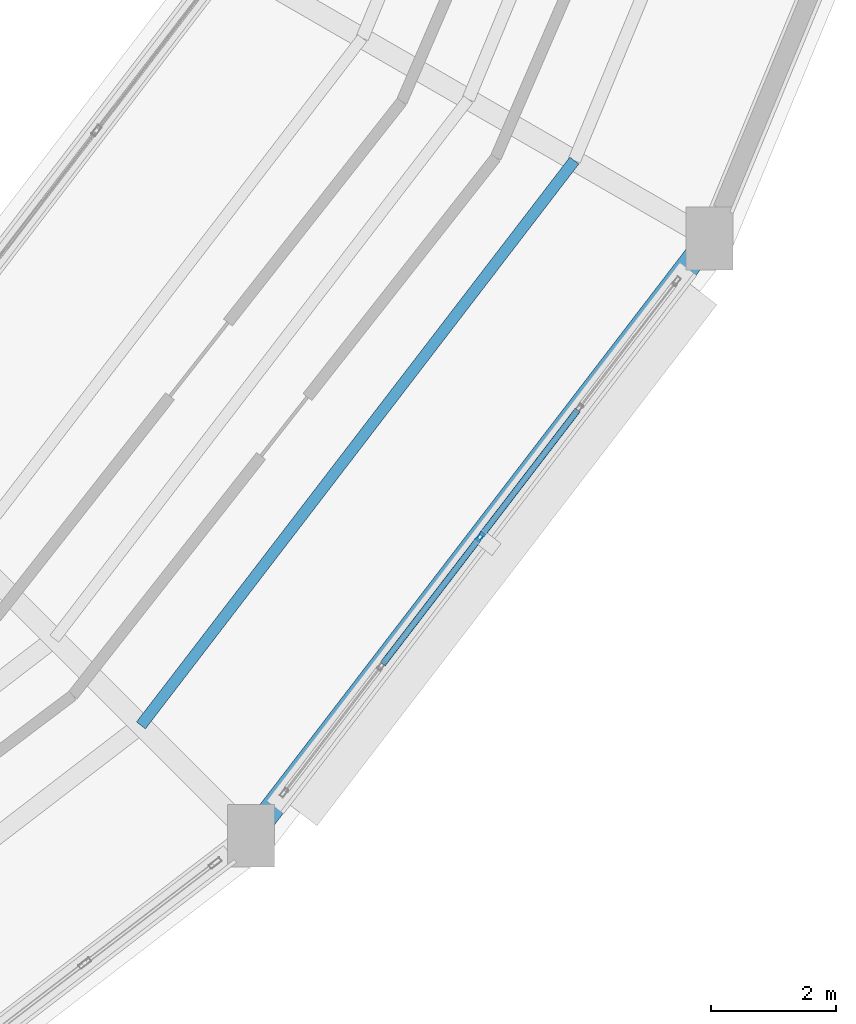
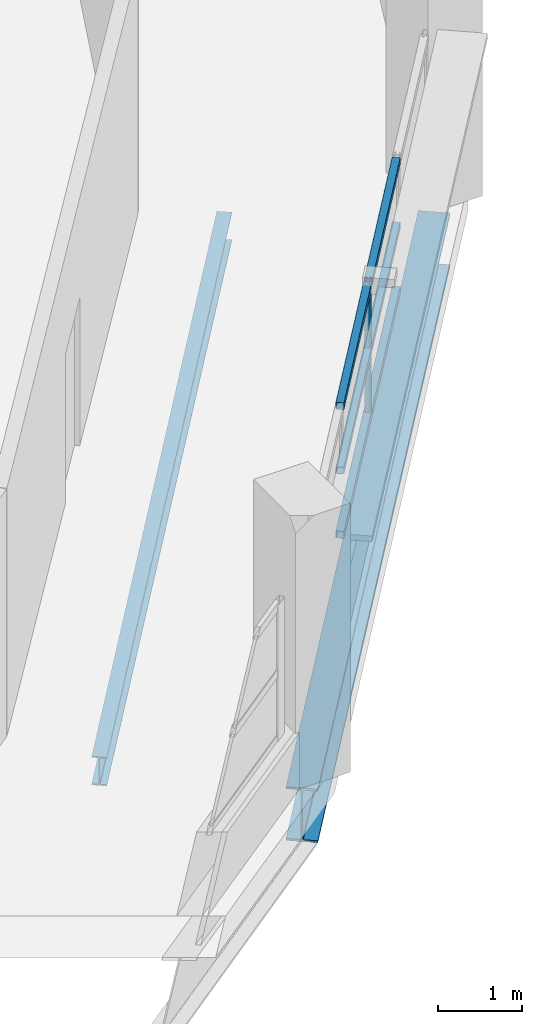
# One storey, part 50 of 108: 7 members, 2 beams, 1 element without a shape of its own.
"""IFC4 building model written with IfcOpenShell, lengths in metres."""

import ifcopenshell
import ifcopenshell.guid

model = None  # the IFC model being written
_history = None  # IfcOwnerHistory: only IFC2X3 demands one
_inside = {}  # id of a spatial element -> (the spatial element, [elements in it])
_under = {}  # id of a project, library or spatial element -> (it, [spatial elements below it])
_declared = {}  # id of a project -> (the project, [libraries it declares])
_typed = {}  # id of a type object -> (the type object, [elements of that type])
_made_of = {}  # id of a material, layer set ... -> (it, [elements and type objects made of it])


def new_model(schema):
    """Start an empty IFC model of exactly this schema.

    Asked for "IFC4X3", IfcOpenShell would pick the latest addendum, in which some entities
    have other attributes; the version numbers below select the first issue.
    IFC2X3 requires an IfcOwnerHistory on every rooted entity: one is made here for all.
    """
    global model, _history
    if schema == "IFC4X3":
        model = ifcopenshell.file(schema_version=(4, 3, 0, 0))
    else:
        model = ifcopenshell.file(schema=schema)
    _inside.clear()
    _under.clear()
    _declared.clear()
    _typed.clear()
    _made_of.clear()
    _history = None
    if model.schema == "IFC2X3":
        org = make("IfcOrganization", Name="unknown")
        user = make(
            "IfcPersonAndOrganization",
            ThePerson=make("IfcPerson", FamilyName="unknown"),
            TheOrganization=org,
        )
        app = make(
            "IfcApplication",
            ApplicationDeveloper=org,
            Version="unknown",
            ApplicationFullName="unknown",
            ApplicationIdentifier="unknown",
        )
        _history = make(
            "IfcOwnerHistory",
            OwningUser=user,
            OwningApplication=app,
            ChangeAction="ADDED",
            CreationDate=0,
        )
    return model


def make(cls, **values):
    """One entity of the class cls with the attributes given. An attribute that is None is left unset."""
    return model.create_entity(
        cls, **{name: value for name, value in values.items() if value is not None}
    )


def rooted(cls, **values):
    """An entity with a GlobalId (a new one), such as an element, a storey or a relation."""
    return make(cls, GlobalId=ifcopenshell.guid.new(), OwnerHistory=_history, **values)


def si_unit(unit_type, name, prefix=None):
    """IfcSIUnit, for example si_unit("LENGTHUNIT", "METRE", prefix="MILLI")."""
    return make("IfcSIUnit", UnitType=unit_type, Prefix=prefix, Name=name)


def assignment(units):
    """IfcUnitAssignment: the units of a project."""
    return None if units is None else make("IfcUnitAssignment", Units=units)


def point(xyz):
    """IfcCartesianPoint."""
    return None if xyz is None else make("IfcCartesianPoint", Coordinates=xyz)


def direction(xyz):
    """IfcDirection."""
    return None if xyz is None else make("IfcDirection", DirectionRatios=xyz)


def frame(location, z_axis=None, x_axis=None):
    """IfcAxis2Placement3D, a coordinate frame: its origin and axes. An axis left out is left unset."""
    return make(
        "IfcAxis2Placement3D",
        Location=point(location),
        Axis=direction(z_axis),
        RefDirection=direction(x_axis),
    )


def frame_2d(location, x_axis=None):
    """IfcAxis2Placement2D, a coordinate frame in the plane: its origin and x axis."""
    return make(
        "IfcAxis2Placement2D", Location=point(location), RefDirection=direction(x_axis)
    )


def origin():
    """The frame at (0, 0, 0) with its axes left unset."""
    return frame((0.0, 0.0, 0.0))


def origin_2d():
    """The frame at (0, 0) in the plane with its x axis left unset."""
    return frame_2d((0.0, 0.0))


def place(relative_to, where):
    """IfcLocalPlacement: puts the frame where relative to a parent placement (None: the world)."""
    return make(
        "IfcLocalPlacement", PlacementRelTo=relative_to, RelativePlacement=where
    )


def context(
    kind, dimensions, precision=None, world=None, true_north=None, identifier=None
):
    """IfcGeometricRepresentationContext, for example the 3D "Model" context."""
    return make(
        "IfcGeometricRepresentationContext",
        ContextIdentifier=identifier,
        ContextType=kind,
        CoordinateSpaceDimension=dimensions,
        Precision=precision,
        WorldCoordinateSystem=world,
        TrueNorth=true_north,
    )


def subcontext(parent, identifier, kind, view, scale=None):
    """IfcGeometricRepresentationSubContext, for example "Body" below "Model"."""
    return make(
        "IfcGeometricRepresentationSubContext",
        ContextIdentifier=identifier,
        ContextType=kind,
        ParentContext=parent,
        TargetScale=scale,
        TargetView=view,
    )


def project(units=None, contexts=None):
    """IfcProject with its units and contexts."""
    return rooted(
        "IfcProject",
        Name="project",
        RepresentationContexts=contexts,
        UnitsInContext=assignment(units),
    )


def spatial(cls, under=None, at=None, **own):
    """A site, building, storey or space (cls), placed at a placement, below another one or the project."""
    s = rooted(cls, ObjectPlacement=at, **own)
    if under is not None:
        _under.setdefault(under.id(), (under, []))[1].append(s)
    return s


def profile(cls, at=None, kind="AREA", **sizes):
    """A parametric profile (cls). Its sizes go by their IFC names, for example OverallWidth=200.0."""
    return make(cls, ProfileType=kind, Position=at, **sizes)


def hollow_rectangle(**sizes):
    """IfcRectangleHollowProfileDef."""
    return profile("IfcRectangleHollowProfileDef", **sizes)


def i_section(**sizes):
    """IfcIShapeProfileDef."""
    return profile("IfcIShapeProfileDef", **sizes)


def extrude(swept, where, along, depth):
    """IfcExtrudedAreaSolid: the profile swept, set in the frame where, extruded along a direction by depth."""
    return make(
        "IfcExtrudedAreaSolid",
        SweptArea=swept,
        Position=where,
        ExtrudedDirection=direction(along),
        Depth=depth,
    )


def shape(context_of_items, identifier, shape_type, items):
    """IfcShapeRepresentation: the items that make up one representation, for example the "Body"."""
    return make(
        "IfcShapeRepresentation",
        ContextOfItems=context_of_items,
        RepresentationIdentifier=identifier,
        RepresentationType=shape_type,
        Items=items,
    )


def material(Name=None, Category=None):
    """IfcMaterial."""
    return make("IfcMaterial", Name=Name, Category=Category)


def layer(
    of_material, thickness, ventilated=None, Name=None, Category=None, Priority=None
):
    """IfcMaterialLayer: one layer of a wall or slab, of a material (None: an air gap)."""
    return make(
        "IfcMaterialLayer",
        Material=of_material,
        LayerThickness=thickness,
        IsVentilated=ventilated,
        Name=Name,
        Category=Category,
        Priority=Priority,
    )


def layer_set(layers, Name=None):
    """IfcMaterialLayerSet."""
    return make("IfcMaterialLayerSet", MaterialLayers=layers, LayerSetName=Name)


def material_profile(
    of_material, cross_section, Name=None, Category=None, Priority=None
):
    """IfcMaterialProfile: a cross section and its material."""
    return make(
        "IfcMaterialProfile",
        Name=Name,
        Material=of_material,
        Profile=cross_section,
        Priority=Priority,
        Category=Category,
    )


def profile_set(profiles, Name=None, composite=None):
    """IfcMaterialProfileSet."""
    return make(
        "IfcMaterialProfileSet",
        Name=Name,
        MaterialProfiles=profiles,
        CompositeProfile=composite,
    )


def made_of(thing, what):
    """Note that an element or type object is made of a material, layer set ...; save() writes the relation."""
    if what is not None:
        _made_of.setdefault(what.id(), (what, []))[1].append(thing)
    return thing


def type_object(cls, material=None, **own):
    """A type object (cls), such as IfcWallType, which elements share."""
    return made_of(rooted(cls, **own), material)


def element(
    cls,
    number,
    at=None,
    inside=None,
    cuts=None,
    type_object=None,
    material=None,
    context=None,
    identifier="Body",
    shape_type=None,
    held_by="IfcProductDefinitionShape",
    body=None,
    shapes=None,
    **own,
):
    """One element of the class cls, such as IfcWall. Its Tag is "e" and its number.

    at: its placement. inside: the storey or other place that contains it. cuts: it is an
    opening in that element (IfcRelVoidsElement). A single representation is given by context,
    identifier, shape_type and body (its items); several are given by shapes. held_by: the class
    of the entity that holds the representations. save() writes the other relations.
    """
    e = rooted(cls, Tag="e%d" % number, ObjectPlacement=at, **own)
    if body is not None:
        shapes = [shape(context, identifier, shape_type, body)]
    if shapes is not None:
        e.Representation = make(held_by, Representations=shapes)
    if inside is not None:
        _inside.setdefault(inside.id(), (inside, []))[1].append(e)
    if cuts is not None:
        rooted(
            "IfcRelVoidsElement", RelatingBuildingElement=cuts, RelatedOpeningElement=e
        )
    if type_object is not None:
        _typed.setdefault(type_object.id(), (type_object, []))[1].append(e)
    return made_of(e, material)


def aggregate(whole, parts):
    """IfcRelAggregates: a whole, such as a stair, and the parts it consists of."""
    return rooted("IfcRelAggregates", RelatingObject=whole, RelatedObjects=parts)


def save(model, path):
    """Write the relations noted so far, then the file.

    IfcRelAggregates (storeys below a building ...), IfcRelContainedInSpatialStructure (elements
    in a storey), IfcRelDefinesByType, IfcRelAssociatesMaterial and IfcRelDeclares: one each for
    every whole, place, type object, material and project.
    """
    for whole, parts in _under.values():
        aggregate(whole, parts)
    for where, things in _inside.values():
        rooted(
            "IfcRelContainedInSpatialStructure",
            RelatedElements=things,
            RelatingStructure=where,
        )
    for kind, things in _typed.values():
        rooted("IfcRelDefinesByType", RelatedObjects=things, RelatingType=kind)
    for what, things in _made_of.values():
        rooted("IfcRelAssociatesMaterial", RelatedObjects=things, RelatingMaterial=what)
    for by, libraries in _declared.values():
        rooted("IfcRelDeclares", RelatingContext=by, RelatedDefinitions=libraries)
    model.write(path)


model = new_model("IFC4")

# Units and contexts
model_context = context("Model", 3, precision=1e-05, world=origin(), true_north=direction((0.0, 1.0)))
body_context = subcontext(model_context, "Body", "Model", "MODEL_VIEW")
ifc_project = project(units=[si_unit("LENGTHUNIT", "METRE"), si_unit("AREAUNIT", "SQUARE_METRE"), si_unit("VOLUMEUNIT", "CUBIC_METRE"), si_unit("PLANEANGLEUNIT", "RADIAN"), si_unit("MASSUNIT", "GRAM", prefix="KILO")], contexts=[model_context])

# Site, building, storey
site_placement = place(None, origin())
site = spatial("IfcSite", under=ifc_project, at=site_placement, CompositionType="ELEMENT")
building_placement = place(site_placement, origin())
building = spatial("IfcBuilding", under=site, at=building_placement, Name="Vespera Passage Community Centre", CompositionType="ELEMENT")
storey_placement = place(building_placement, frame((0.0, 0.0, 12.60009765625)))
storey = spatial("IfcBuildingStorey", under=building, at=storey_placement, Name="L03", CompositionType="ELEMENT", Elevation=12.60009765625)

# Beams
ifc_material_1 = material(Name="Steel ASTM A992 Grade 50", Category="steel")
ifc_material_profile_1 = material_profile(ifc_material_1, i_section(OverallWidth=0.180908203125, OverallDepth=0.417236328125, WebThickness=0.010986328125, FlangeThickness=0.018310546875, FilletRadius=0.01025390625, at=origin_2d()), Name="W16X57")
ifc_profile_set_1 = profile_set([ifc_material_profile_1], Name="Steel ASTM A992 Grade 50")
beam_type_1 = type_object("IfcBeamType", Name="BM-J-W16X57", PredefinedType="JOIST", material=ifc_profile_set_1)
beam_1_placement = place(storey_placement, frame((108.83544921875, 34.66455078125, -0.60888671875), z_axis=(0.608765110442, 0.793350515415, 0.0), x_axis=(-0.793350515415, 0.608765110442, 0.0)))
element("IfcBeam", 1, at=beam_1_placement, inside=storey, type_object=beam_type_1, Name="V4 L03 Floor Joist 21.3", PredefinedType="JOIST", context=body_context, shape_type="SweptSolid", body=[
    extrude(i_section(OverallWidth=0.180908203125, OverallDepth=0.417236328125, WebThickness=0.010986328125, FlangeThickness=0.018310546875, FilletRadius=0.01025390625, at=origin_2d()), origin(), (0.0, 0.0, 1.0), 11.384033203125),
])
ifc_material_2 = material(Name="Steel ASTM A992 Grade 50", Category="steel")
ifc_material_profile_2 = material_profile(ifc_material_2, i_section(OverallWidth=0.382080078125, OverallDepth=0.779296875, WebThickness=0.01806640625, FlangeThickness=0.030029296875, FilletRadius=0.0166015625, at=origin_2d()), Name="W30X191")
ifc_profile_set_2 = profile_set([ifc_material_profile_2], Name="Steel ASTM A992 Grade 50")
beam_type_2 = type_object("IfcBeamType", Name="BM-SP-W30X191E", PredefinedType="SPANDREL", material=ifc_profile_set_2)
beam_2_placement = place(storey_placement, frame((110.59765625, 32.90234375, -0.789794921875), z_axis=(0.608763261066, 0.793351934501, 0.0), x_axis=(-0.793351934501, 0.608763261066, 0.0)))
element("IfcBeam", 2, at=beam_2_placement, inside=storey, type_object=beam_type_2, Name="V4 L03 Outer Spandrel 21", PredefinedType="SPANDREL", context=body_context, shape_type="SweptSolid", body=[
    extrude(i_section(OverallWidth=0.382080078125, OverallDepth=0.779296875, WebThickness=0.01806640625, FlangeThickness=0.030029296875, FilletRadius=0.0166015625, at=origin_2d()), origin(), (0.0, 0.0, 1.0), 12.034423828125),
])

# Curtain wall, members
ifc_material_3 = material(Name="Anodized aluminium 6063-T6", Category="aluminium")
ifc_layer = layer(ifc_material_3, 0.159912109375)
ifc_layer_set = layer_set([ifc_layer], Name="Anodized aluminium 6063-T6")
curtain_wall_type = type_object("IfcCurtainWallType", Name="CW-52E", PredefinedType="NOTDEFINED", material=ifc_layer_set)
curtain_wall_placement = place(storey_placement, origin())
curtain_wall = element("IfcCurtainWall", 3, at=curtain_wall_placement, inside=storey, type_object=curtain_wall_type, Name="V4 L03 Outer Ribbon Curtain Wall 21", PredefinedType="NOTDEFINED")
ifc_material_4 = material(Name="Anodized aluminium 6063-T6", Category="aluminium")
ifc_material_profile_3 = material_profile(ifc_material_4, hollow_rectangle(XDim=0.06494140625, YDim=0.14990234375, WallThickness=0.00390625, InnerFilletRadius=0.001953125, OuterFilletRadius=0.00390625, at=origin_2d()), Name="ALU150X65X4")
ifc_profile_set_3 = profile_set([ifc_material_profile_3], Name="Anodized aluminium 6063-T6")
member_type_1 = type_object("IfcMemberType", Name="MB-CWM-150E", PredefinedType="MULLION", material=ifc_profile_set_3)
member_1_placement = place(storey_placement, frame((114.2607421875, 37.67626953125, 0.81982421875), z_axis=(0.0, 0.0, 1.0), x_axis=(0.793350257139, -0.608765447029, 0.0)))
member_1 = element("IfcMember", 4, at=member_1_placement, type_object=member_type_1, Name="CW-52E mullion 3", PredefinedType="MULLION", context=body_context, shape_type="SweptSolid", body=[
    extrude(hollow_rectangle(XDim=0.06494140625, YDim=0.14990234375, WallThickness=0.00390625, InnerFilletRadius=0.001953125, OuterFilletRadius=0.00390625, at=origin_2d()), origin(), (0.0, 0.0, 1.0), 1.965576171875),
])
ifc_material_5 = material(Name="Anodized aluminium 6063-T6", Category="aluminium")
ifc_material_profile_4 = material_profile(ifc_material_5, hollow_rectangle(XDim=0.10009765625, YDim=0.10009765625, WallThickness=0.00390625, InnerFilletRadius=0.001953125, OuterFilletRadius=0.00390625, at=origin_2d()), Name="ALU100X100X4")
ifc_profile_set_4 = profile_set([ifc_material_profile_4], Name="Anodized aluminium 6063-T6")
member_type_2 = type_object("IfcMemberType", Name="MB-CWT-100E", PredefinedType="USERDEFINED", material=ifc_profile_set_4)
member_2_placement = place(storey_placement, frame((115.819580078125, 39.707763671875, 0.869873046875), z_axis=(-0.608739637732, -0.793370060851, 0.0), x_axis=(0.793370060851, -0.608739637732, 0.0)))
member_2 = element("IfcMember", 5, at=member_2_placement, type_object=member_type_2, Name="CW-52E transom 2.1", ObjectType="TRANSOM", PredefinedType="USERDEFINED", context=body_context, shape_type="SweptSolid", body=[
    extrude(hollow_rectangle(XDim=0.10009765625, YDim=0.10009765625, WallThickness=0.00390625, InnerFilletRadius=0.001953125, OuterFilletRadius=0.00390625, at=origin_2d()), origin(), (0.0, 0.0, 1.0), 2.5283203125),
])
member_3_placement = place(storey_placement, frame((115.819580078125, 39.707763671875, 1.802734375), z_axis=(-0.608739637732, -0.793370060851, 0.0), x_axis=(0.793370060851, -0.608739637732, 0.0)))
member_3 = element("IfcMember", 6, at=member_3_placement, type_object=member_type_2, Name="CW-52E transom 2.2", ObjectType="TRANSOM", PredefinedType="USERDEFINED", context=body_context, shape_type="SweptSolid", body=[
    extrude(hollow_rectangle(XDim=0.10009765625, YDim=0.10009765625, WallThickness=0.00390625, InnerFilletRadius=0.001953125, OuterFilletRadius=0.00390625, at=origin_2d()), origin(), (0.0, 0.0, 1.0), 2.5283203125),
])
member_4_placement = place(storey_placement, frame((115.819580078125, 39.707763671875, 2.735595703125), z_axis=(-0.608739637732, -0.793370060851, 0.0), x_axis=(0.793370060851, -0.608739637732, 0.0)))
member_4 = element("IfcMember", 7, at=member_4_placement, type_object=member_type_2, Name="CW-52E transom 2.3", ObjectType="TRANSOM", PredefinedType="USERDEFINED", context=body_context, shape_type="SweptSolid", body=[
    extrude(hollow_rectangle(XDim=0.10009765625, YDim=0.10009765625, WallThickness=0.00390625, InnerFilletRadius=0.001953125, OuterFilletRadius=0.00390625, at=origin_2d()), origin(), (0.0, 0.0, 1.0), 2.5283203125),
])
member_5_placement = place(storey_placement, frame((114.240966796875, 37.650390625, 0.869873046875), z_axis=(-0.608786276411, -0.793334273591, 0.0), x_axis=(0.793334273591, -0.608786276411, 0.0)))
member_5 = element("IfcMember", 8, at=member_5_placement, type_object=member_type_2, Name="CW-52E transom 3.1", ObjectType="TRANSOM", PredefinedType="USERDEFINED", context=body_context, shape_type="SweptSolid", body=[
    extrude(hollow_rectangle(XDim=0.10009765625, YDim=0.10009765625, WallThickness=0.00390625, InnerFilletRadius=0.001953125, OuterFilletRadius=0.00390625, at=origin_2d()), origin(), (0.0, 0.0, 1.0), 2.528076171875),
])
member_6_placement = place(storey_placement, frame((114.240966796875, 37.650390625, 1.802734375), z_axis=(-0.608786276411, -0.793334273591, 0.0), x_axis=(0.793334273591, -0.608786276411, 0.0)))
member_6 = element("IfcMember", 9, at=member_6_placement, type_object=member_type_2, Name="CW-52E transom 3.2", ObjectType="TRANSOM", PredefinedType="USERDEFINED", context=body_context, shape_type="SweptSolid", body=[
    extrude(hollow_rectangle(XDim=0.10009765625, YDim=0.10009765625, WallThickness=0.00390625, InnerFilletRadius=0.001953125, OuterFilletRadius=0.00390625, at=origin_2d()), origin(), (0.0, 0.0, 1.0), 2.528076171875),
])
member_7_placement = place(storey_placement, frame((114.240966796875, 37.650390625, 2.735595703125), z_axis=(-0.608786276411, -0.793334273591, 0.0), x_axis=(0.793334273591, -0.608786276411, 0.0)))
member_7 = element("IfcMember", 10, at=member_7_placement, type_object=member_type_2, Name="CW-52E transom 3.3", ObjectType="TRANSOM", PredefinedType="USERDEFINED", context=body_context, shape_type="SweptSolid", body=[
    extrude(hollow_rectangle(XDim=0.10009765625, YDim=0.10009765625, WallThickness=0.00390625, InnerFilletRadius=0.001953125, OuterFilletRadius=0.00390625, at=origin_2d()), origin(), (0.0, 0.0, 1.0), 2.528076171875),
])
aggregate(curtain_wall, [member_1, member_2, member_3, member_4, member_5, member_6, member_7])

save(model, "model.ifc")
